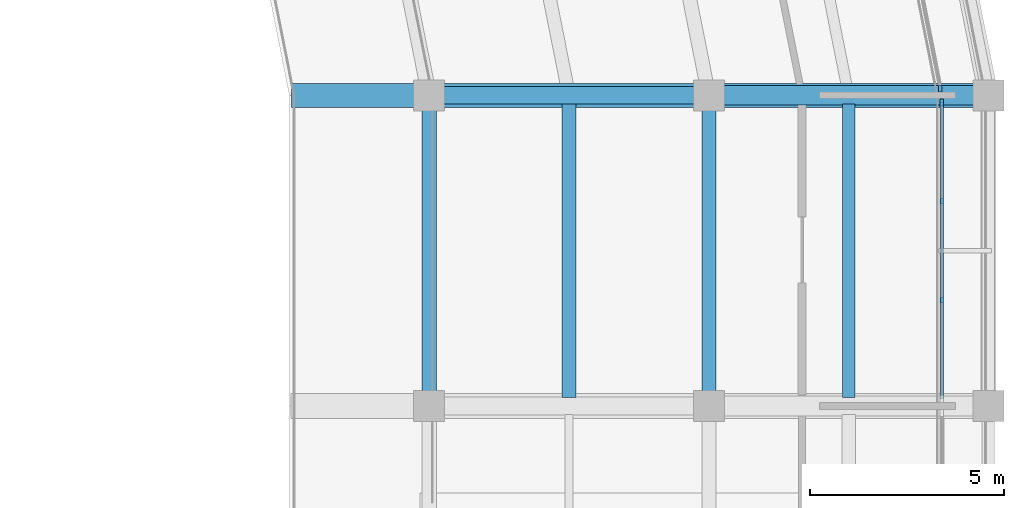
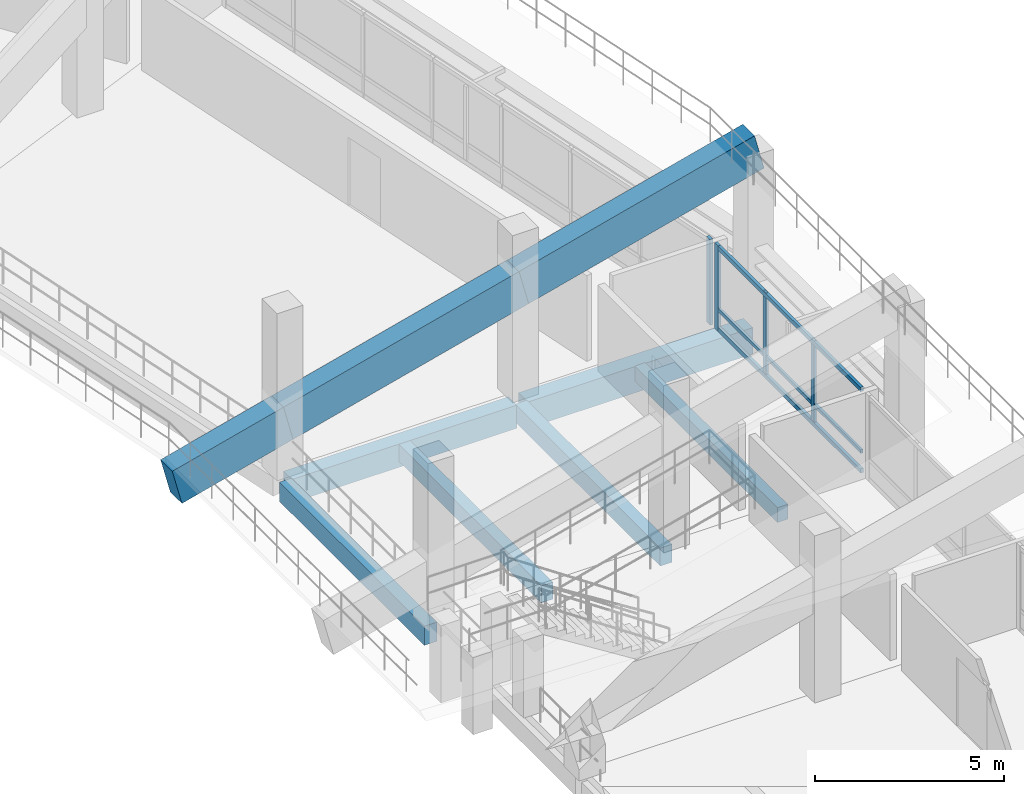
# One storey, part 34 of 96: 9 beams, 7 members, 2 elements without a shape of their own.
"""IFC4 building model written with IfcOpenShell, lengths in metres."""

from ifc_helpers import new_model, si_unit, direction, frame, origin, origin_2d, place, context, subcontext, project, spatial, rectangle, extrude, material, material_profile, profile_set, type_object, element, aggregate, save


model = new_model("IFC4")

# Units and contexts
model_context = context("Model", 3, precision=1e-05, world=origin(), true_north=direction((0.0, 1.0)))
body_context = subcontext(model_context, "Body", "Model", "MODEL_VIEW")
ifc_project = project(units=[si_unit("LENGTHUNIT", "METRE"), si_unit("AREAUNIT", "SQUARE_METRE"), si_unit("VOLUMEUNIT", "CUBIC_METRE"), si_unit("PLANEANGLEUNIT", "RADIAN"), si_unit("MASSUNIT", "GRAM", prefix="KILO")], contexts=[model_context])

# Site, building, storey
site_placement = place(None, origin())
site = spatial("IfcSite", under=ifc_project, at=site_placement, CompositionType="ELEMENT")
building_placement = place(site_placement, origin())
building = spatial("IfcBuilding", under=site, at=building_placement, Name="Candeia Ridge Stadium", CompositionType="ELEMENT")
storey_placement = place(building_placement, frame((0.0, 0.0, 21.60009765625)))
storey = spatial("IfcBuildingStorey", under=building, at=storey_placement, Name="L04", CompositionType="ELEMENT", Elevation=21.60009765625)

# Beams
ifc_material_1 = material(Name="Concrete C45/55", Category="concrete")
ifc_material_profile_1 = material_profile(ifc_material_1, rectangle(XDim=0.449951171875, YDim=0.75, at=origin_2d()), Name="RC450x750", Category="concrete")
ifc_profile_set_1 = profile_set([ifc_material_profile_1], Name="Concrete C45/55")
beam_type_1 = type_object("IfcBeamType", Name="Bowl Radial Girder RC450x750", PredefinedType="BEAM", material=ifc_profile_set_1)
beam_1_placement = place(storey_placement, frame((178.760009765625, 95.0, -0.635009765625), z_axis=(1.0, 0.0, 0.0), x_axis=(0.0, 1.0, 0.0)))
element("IfcBeam", 1, at=beam_1_placement, inside=storey, type_object=beam_type_1, Name="Bowl radial girder BM-L04-0785", PredefinedType="BEAM", context=body_context, shape_type="SweptSolid", body=[
    extrude(rectangle(XDim=0.449951171875, YDim=0.75, at=origin_2d()), origin(), (0.0, 0.0, 1.0), 6.8798828125),
])
ifc_material_2 = material(Name="Concrete C40/50", Category="concrete")
ifc_material_profile_2 = material_profile(ifc_material_2, rectangle(XDim=0.35009765625, YDim=0.550048828125, at=origin_2d()), Name="RC350x550", Category="concrete")
ifc_profile_set_2 = profile_set([ifc_material_profile_2], Name="Concrete C40/50")
beam_type_2 = type_object("IfcBeamType", Name="Concourse Concrete Joist RC350x550", PredefinedType="JOIST", material=ifc_profile_set_2)
beam_2_placement = place(storey_placement, frame((182.199951171875, 87.221923828125, -0.53515625), z_axis=(0.0, 1.0, 0.0), x_axis=(-1.0, 0.0, 0.0)))
element("IfcBeam", 2, at=beam_2_placement, inside=storey, type_object=beam_type_2, Name="Concourse secondary joist BM-L04-0940", PredefinedType="JOIST", context=body_context, shape_type="SweptSolid", body=[
    extrude(rectangle(XDim=0.35009765625, YDim=0.550048828125, at=origin_2d()), origin(), (0.0, 0.0, 1.0), 7.55615234375),
])

# Curtain wall, member
ifc_material_3 = material(Name="Aluminium Anodized Warm Bronze", Category="aluminium")
curtain_wall_type = type_object("IfcCurtainWallType", Name="Concourse Recessed Unitised Curtain Wall", PredefinedType="NOTDEFINED", material=ifc_material_3)
curtain_wall_1_placement = place(storey_placement, origin())
curtain_wall_1 = element("IfcCurtainWall", 3, at=curtain_wall_1_placement, inside=storey, type_object=curtain_wall_type, Name="Unitised curtain wall CW-BWL-L04-31", PredefinedType="NOTDEFINED")
ifc_material_profile_3 = material_profile(ifc_material_3, rectangle(XDim=0.090087890625, YDim=0.179931640625, at=origin_2d()), Name="CWM-90x180", Category="aluminium")
ifc_profile_set_3 = profile_set([ifc_material_profile_3], Name="Aluminium Anodized Warm Bronze")
member_type_1 = type_object("IfcMemberType", Name="Curtain Wall Primary Mullion 90x180", PredefinedType="MULLION", material=ifc_profile_set_3)
member_1_placement = place(storey_placement, frame((191.800048828125, 94.820068359375, 0.0), z_axis=(0.0, 0.0, 1.0), x_axis=(1.0, 0.0, 0.0)))
member_1 = element("IfcMember", 4, at=member_1_placement, type_object=member_type_1, Name="Curtain wall mullion CW-BWL-L04-31-M3", PredefinedType="MULLION", context=body_context, shape_type="SweptSolid", body=[
    extrude(rectangle(XDim=0.090087890625, YDim=0.179931640625, at=origin_2d()), origin(), (0.0, 0.0, 1.0), 2.772216796875),
])

curtain_wall_2_placement = place(storey_placement, origin())
curtain_wall_2 = element("IfcCurtainWall", 5, at=curtain_wall_2_placement, inside=storey, type_object=curtain_wall_type, Name="Unitised curtain wall CW-BWL-L04-32", PredefinedType="NOTDEFINED")
member_2_placement = place(storey_placement, frame((191.764892578125, 95.176513671875, 0.0), z_axis=(0.0, 0.0, 1.0), x_axis=(1.0, 0.0, 0.0)))
member_2 = element("IfcMember", 6, at=member_2_placement, type_object=member_type_1, Name="Curtain wall mullion CW-BWL-L04-32-M0", PredefinedType="MULLION", context=body_context, shape_type="SweptSolid", body=[
    extrude(rectangle(XDim=0.090087890625, YDim=0.179931640625, at=origin_2d()), origin(), (0.0, 0.0, 1.0), 2.772216796875),
])
aggregate(curtain_wall_2, [member_2])

# Member
ifc_material_profile_4 = material_profile(ifc_material_3, rectangle(XDim=0.074951171875, YDim=0.14990234375, at=origin_2d()), Name="CWM-75x150", Category="aluminium")
ifc_profile_set_4 = profile_set([ifc_material_profile_4], Name="Aluminium Anodized Warm Bronze")
member_type_2 = type_object("IfcMemberType", Name="Curtain Wall Secondary Mullion 75x150", PredefinedType="MULLION", material=ifc_profile_set_4)
member_3_placement = place(storey_placement, frame((191.800048828125, 89.726806640625, 0.0), z_axis=(0.0, 0.0, 1.0), x_axis=(1.0, 0.0, 0.0)))
member_3 = element("IfcMember", 7, at=member_3_placement, type_object=member_type_2, Name="Curtain wall mullion CW-BWL-L04-31-M1", PredefinedType="MULLION", context=body_context, shape_type="SweptSolid", body=[
    extrude(rectangle(XDim=0.074951171875, YDim=0.14990234375, at=origin_2d()), origin(), (0.0, 0.0, 1.0), 2.772216796875),
])

member_4_placement = place(storey_placement, frame((191.800048828125, 92.273193359375, 0.0), z_axis=(0.0, 0.0, 1.0), x_axis=(1.0, 0.0, 0.0)))
member_4 = element("IfcMember", 8, at=member_4_placement, type_object=member_type_2, Name="Curtain wall mullion CW-BWL-L04-31-M2", PredefinedType="MULLION", context=body_context, shape_type="SweptSolid", body=[
    extrude(rectangle(XDim=0.074951171875, YDim=0.14990234375, at=origin_2d()), origin(), (0.0, 0.0, 1.0), 2.772216796875),
])

ifc_material_profile_5 = material_profile(ifc_material_3, rectangle(XDim=0.074951171875, YDim=0.110107421875, at=origin_2d()), Name="CWT-75x110", Category="aluminium")
ifc_profile_set_5 = profile_set([ifc_material_profile_5], Name="Aluminium Anodized Warm Bronze")
member_type_3 = type_object("IfcMemberType", Name="Curtain Wall Secondary Transom 75x110", PredefinedType="USERDEFINED", material=ifc_profile_set_5)
member_5_placement = place(storey_placement, frame((191.800048828125, 87.179931640625, 0.693115234375), z_axis=(0.0, 1.0, 0.0), x_axis=(-1.0, 0.0, 0.0)))
member_5 = element("IfcMember", 9, at=member_5_placement, type_object=member_type_3, Name="Curtain wall transom CW-BWL-L04-31-T1", ObjectType="TRANSOM", PredefinedType="USERDEFINED", context=body_context, shape_type="SweptSolid", body=[
    extrude(rectangle(XDim=0.074951171875, YDim=0.110107421875, at=origin_2d()), origin(), (0.0, 0.0, 1.0), 7.64013671875),
])

ifc_material_profile_6 = material_profile(ifc_material_3, rectangle(XDim=0.090087890625, YDim=0.139892578125, at=origin_2d()), Name="CWT-90x140", Category="aluminium")
ifc_profile_set_6 = profile_set([ifc_material_profile_6], Name="Aluminium Anodized Warm Bronze")
member_type_4 = type_object("IfcMemberType", Name="Curtain Wall Transom 90x140", PredefinedType="USERDEFINED", material=ifc_profile_set_6)
member_6_placement = place(storey_placement, frame((191.800048828125, 87.179931640625, 0.06982421875), z_axis=(0.0, 1.0, 0.0), x_axis=(-1.0, 0.0, 0.0)))
member_6 = element("IfcMember", 10, at=member_6_placement, type_object=member_type_4, Name="Curtain wall transom CW-BWL-L04-31-T0", ObjectType="TRANSOM", PredefinedType="USERDEFINED", context=body_context, shape_type="SweptSolid", body=[
    extrude(rectangle(XDim=0.090087890625, YDim=0.139892578125, at=origin_2d()), origin(), (0.0, 0.0, 1.0), 7.64013671875),
])

member_7_placement = place(storey_placement, frame((191.800048828125, 87.179931640625, 2.7021484375), z_axis=(0.0, 1.0, 0.0), x_axis=(-1.0, 0.0, 0.0)))
member_7 = element("IfcMember", 11, at=member_7_placement, type_object=member_type_4, Name="Curtain wall transom CW-BWL-L04-31-T2", ObjectType="TRANSOM", PredefinedType="USERDEFINED", context=body_context, shape_type="SweptSolid", body=[
    extrude(rectangle(XDim=0.090087890625, YDim=0.139892578125, at=origin_2d()), origin(), (0.0, 0.0, 1.0), 7.64013671875),
])

aggregate(curtain_wall_1, [member_3, member_4, member_1, member_6, member_5, member_7])

# Beams
ifc_material_profile_7 = material_profile(ifc_material_2, rectangle(XDim=0.320068359375, YDim=0.47998046875, at=origin_2d()), Name="RC320x480", Category="concrete")
ifc_profile_set_7 = profile_set([ifc_material_profile_7], Name="Concrete C40/50")
beam_type_3 = type_object("IfcBeamType", Name="Floor Joist RC320x480", PredefinedType="JOIST", material=ifc_profile_set_7)
beam_3_placement = place(storey_placement, frame((189.39990234375, 87.221923828125, -0.5), z_axis=(0.0, 1.0, 0.0), x_axis=(-1.0, 0.0, 0.0)))
element("IfcBeam", 12, at=beam_3_placement, inside=storey, type_object=beam_type_3, Name="Concourse secondary joist BM-L04-0941", PredefinedType="JOIST", context=body_context, shape_type="SweptSolid", body=[
    extrude(rectangle(XDim=0.320068359375, YDim=0.47998046875, at=origin_2d()), origin(), (0.0, 0.0, 1.0), 7.55615234375),
])
ifc_material_profile_8 = material_profile(ifc_material_2, rectangle(XDim=0.360107421875, YDim=0.580078125, at=origin_2d()), Name="RC360x580", Category="concrete")
ifc_profile_set_8 = profile_set([ifc_material_profile_8], Name="Concrete C40/50")
beam_type_4 = type_object("IfcBeamType", Name="Frame Girder RC360x580", PredefinedType="BEAM", material=ifc_profile_set_8)
beam_4_placement = place(storey_placement, frame((185.800048828125, 87.159912109375, -0.550048828125), z_axis=(0.0, 1.0, 0.0), x_axis=(-1.0, 0.0, 0.0)))
element("IfcBeam", 13, at=beam_4_placement, inside=storey, type_object=beam_type_4, Name="Concourse spine girder BM-L04-0938", PredefinedType="BEAM", context=body_context, shape_type="SweptSolid", body=[
    extrude(rectangle(XDim=0.360107421875, YDim=0.580078125, at=origin_2d()), origin(), (0.0, 0.0, 1.0), 7.68017578125),
])
ifc_material_profile_9 = material_profile(ifc_material_2, rectangle(XDim=0.3798828125, YDim=0.6201171875, at=origin_2d()), Name="RC380x620", Category="concrete")
ifc_profile_set_9 = profile_set([ifc_material_profile_9], Name="Concrete C40/50")
beam_type_5 = type_object("IfcBeamType", Name="Frame Girder RC380x620", PredefinedType="BEAM", material=ifc_profile_set_9)
beam_5_placement = place(storey_placement, frame((178.60009765625, 87.159912109375, -0.570068359375), z_axis=(0.0, 1.0, 0.0), x_axis=(-1.0, 0.0, 0.0)))
element("IfcBeam", 14, at=beam_5_placement, inside=storey, type_object=beam_type_5, Name="Bowl inner ring girder BM-L04-0937", PredefinedType="BEAM", context=body_context, shape_type="SweptSolid", body=[
    extrude(rectangle(XDim=0.3798828125, YDim=0.6201171875, at=origin_2d()), origin(), (0.0, 0.0, 1.0), 7.68017578125),
])
ifc_material_profile_10 = material_profile(ifc_material_1, rectangle(XDim=0.5, YDim=0.85009765625, at=origin_2d()), Name="RC500x850", Category="concrete")
ifc_profile_set_10 = profile_set([ifc_material_profile_10], Name="Concrete C45/55")
beam_type_6 = type_object("IfcBeamType", Name="Frame Girder RC500x850", PredefinedType="BEAM", material=ifc_profile_set_10)
beam_6_placement = place(storey_placement, frame((185.9599609375, 95.0, -0.68505859375), z_axis=(1.0, 0.0, 0.0), x_axis=(0.0, 1.0, 0.0)))
element("IfcBeam", 15, at=beam_6_placement, inside=storey, type_object=beam_type_6, Name="Bowl radial girder BM-L04-0786", PredefinedType="BEAM", context=body_context, shape_type="SweptSolid", body=[
    extrude(rectangle(XDim=0.5, YDim=0.85009765625, at=origin_2d()), origin(), (0.0, 0.0, 1.0), 6.880126953125),
])
ifc_material_profile_11 = material_profile(ifc_material_1, rectangle(XDim=0.6201171875, YDim=1.179931640625, at=origin_2d()), Name="RC620x1180", Category="concrete")
ifc_profile_set_11 = profile_set([ifc_material_profile_11], Name="Concrete C45/55")
beam_type_7 = type_object("IfcBeamType", Name="Stand Raker Beam RC620x1180", PredefinedType="USERDEFINED", material=ifc_profile_set_11)
beam_7_placement = place(storey_placement, frame((178.60009765625, 95.0, 1.66796875), z_axis=(0.968083084121, 0.0, 0.250629491956), x_axis=(0.0, 1.0, 0.0)))
element("IfcBeam", 16, at=beam_7_placement, inside=storey, type_object=beam_type_7, Name="Stand T3 inner raker beam 33", ObjectType="RAKER", PredefinedType="USERDEFINED", context=body_context, shape_type="SweptSolid", body=[
    extrude(rectangle(XDim=0.6201171875, YDim=1.179931640625, at=origin_2d()), origin(), (0.0, 0.0, 1.0), 7.437255859375),
])
beam_8_placement = place(storey_placement, frame((185.800048828125, 95.0, 3.531982421875), z_axis=(0.968067153083, 0.0, 0.250691019229), x_axis=(0.0, 1.0, 0.0)))
element("IfcBeam", 17, at=beam_8_placement, inside=storey, type_object=beam_type_7, Name="Stand T3 outer raker beam 33", ObjectType="RAKER", PredefinedType="USERDEFINED", context=body_context, shape_type="SweptSolid", body=[
    extrude(rectangle(XDim=0.6201171875, YDim=1.179931640625, at=origin_2d()), origin(), (0.0, 0.0, 1.0), 7.4375),
])
beam_9_placement = place(storey_placement, frame((175.199951171875, 95.0, 0.78759765625), z_axis=(0.968076277783, 0.0, 0.250655780691), x_axis=(0.0, 1.0, 0.0)))
element("IfcBeam", 18, at=beam_9_placement, inside=storey, type_object=beam_type_7, Name="Stand T3 cantilever raker beam 33", ObjectType="RAKER", PredefinedType="USERDEFINED", context=body_context, shape_type="SweptSolid", body=[
    extrude(rectangle(XDim=0.6201171875, YDim=1.179931640625, at=origin_2d()), origin(), (0.0, 0.0, 1.0), 3.51220703125),
])

save(model, "model.ifc")
